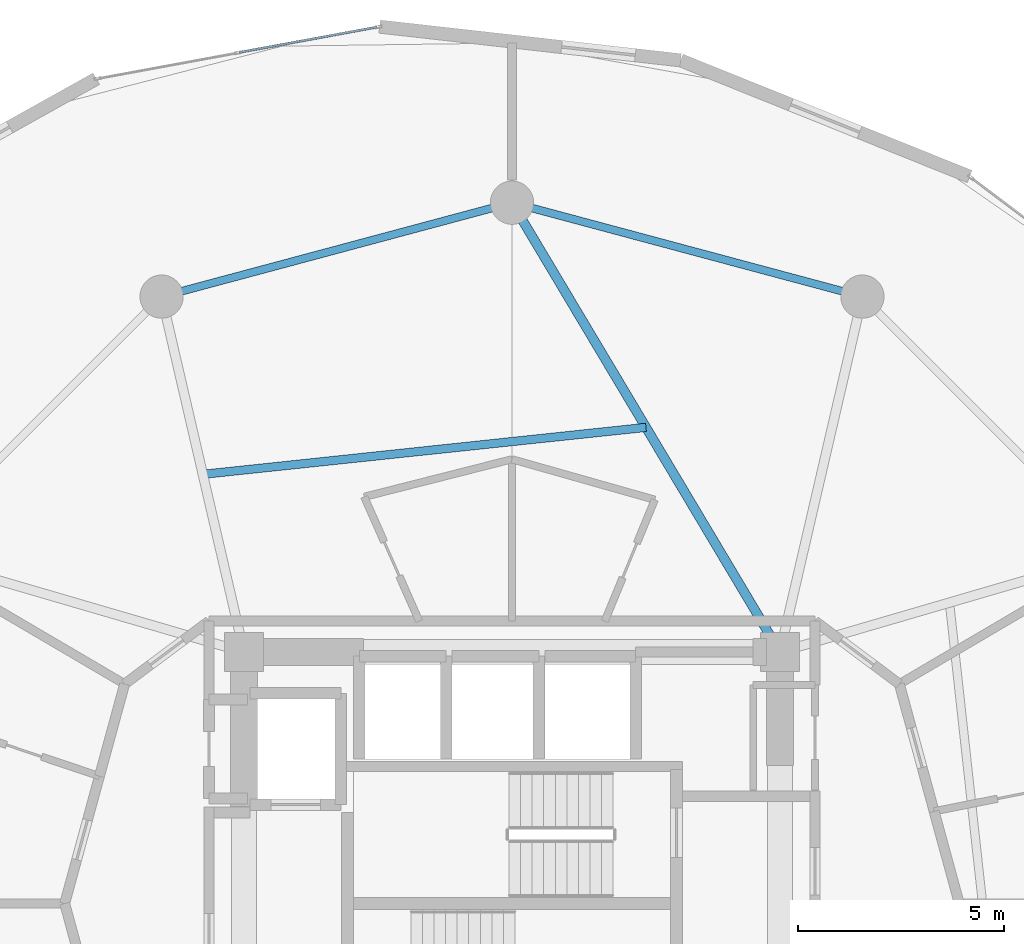
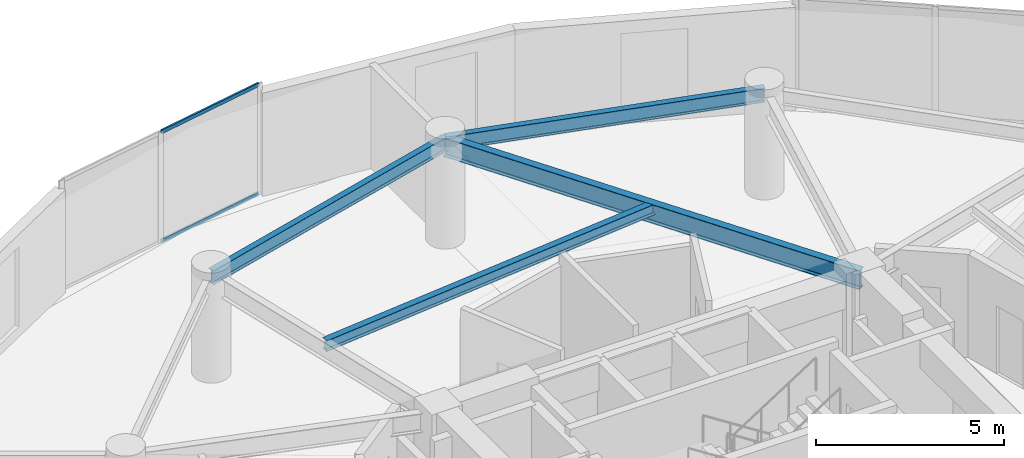
# One storey, part 17 of 25: 4 beams, 2 members, 1 element without a shape of its own.
"""IFC4 building model written with IfcOpenShell, lengths in metres."""

from ifc_helpers import new_model, si_unit, direction, frame, origin, origin_2d, place, context, subcontext, project, spatial, hollow_rectangle, i_section, extrude, source, transform, mapped, material, layer, layer_set, material_profile, profile_set, type_object, element, aggregate, save


model = new_model("IFC4")

# Units and contexts
model_context = context("Model", 3, precision=1e-05, world=origin(), true_north=direction((0.0, 1.0)))
body_context = subcontext(model_context, "Body", "Model", "MODEL_VIEW")
ifc_project = project(units=[si_unit("LENGTHUNIT", "METRE"), si_unit("AREAUNIT", "SQUARE_METRE"), si_unit("VOLUMEUNIT", "CUBIC_METRE"), si_unit("PLANEANGLEUNIT", "RADIAN"), si_unit("MASSUNIT", "GRAM", prefix="KILO")], contexts=[model_context])

# Site, building, storey
site_placement = place(None, origin())
site = spatial("IfcSite", under=ifc_project, at=site_placement, CompositionType="ELEMENT")
building_placement = place(site_placement, origin())
building = spatial("IfcBuilding", under=site, at=building_placement, Name="Solvirekh Grand Hotel", CompositionType="ELEMENT")
storey_placement = place(building_placement, frame((0.0, 0.0, 106.199951171875)))
storey = spatial("IfcBuildingStorey", under=building, at=storey_placement, Name="L26", CompositionType="ELEMENT", Elevation=106.199951171875)

# Beams
ifc_material_1 = material(Name="Steel S355", Category="steel")
ifc_material_profile_1 = material_profile(ifc_material_1, i_section(OverallWidth=0.22802734375, OverallDepth=0.616943359375, WebThickness=0.012939453125, FlangeThickness=0.02001953125, FilletRadius=0.014892578125, at=origin_2d()), Name="W610X140")
ifc_profile_set_1 = profile_set([ifc_material_profile_1], Name="Steel S355")
beam_type_1 = type_object("IfcBeamType", Name="Beam_Radial_W610", PredefinedType="BEAM", material=ifc_profile_set_1)
beam_1_placement = place(storey_placement, frame((6.5, 6.10009765625, 3.0419921875), z_axis=(-0.512179721377, 0.858878299301, 0.0), x_axis=(-0.858878299301, -0.512179721377, 0.0)))
element("IfcBeam", 1, at=beam_1_placement, inside=storey, type_object=beam_type_1, Name="L26 radial floor beam R04", PredefinedType="BEAM", context=body_context, shape_type="SweptSolid", body=[
    extrude(i_section(OverallWidth=0.22802734375, OverallDepth=0.616943359375, WebThickness=0.012939453125, FlangeThickness=0.02001953125, FilletRadius=0.014892578125, at=origin_2d()), origin(), (0.0, 0.0, 1.0), 12.69091796875),
])
ifc_material_profile_2 = material_profile(ifc_material_1, i_section(OverallWidth=0.2041015625, OverallDepth=0.35009765625, WebThickness=0.009033203125, FlangeThickness=0.014892578125, FilletRadius=0.010986328125, at=origin_2d()), Name="W360X72")
ifc_profile_set_2 = profile_set([ifc_material_profile_2], Name="Steel S355")
beam_type_2 = type_object("IfcBeamType", Name="Joist_Floor_W360", PredefinedType="JOIST", material=ifc_profile_set_2)
beam_2_placement = place(storey_placement, frame((3.25, 11.550048828125, 3.175048828125), z_axis=(-0.994432198761, -0.105378375714, 0.0), x_axis=(0.105378375714, -0.994432198761, 0.0)))
element("IfcBeam", 2, at=beam_2_placement, inside=storey, type_object=beam_type_2, Name="L26 secondary composite floor joist 4", PredefinedType="JOIST", context=body_context, shape_type="SweptSolid", body=[
    extrude(i_section(OverallWidth=0.2041015625, OverallDepth=0.35009765625, WebThickness=0.009033203125, FlangeThickness=0.014892578125, FilletRadius=0.010986328125, at=origin_2d()), origin(), (0.0, 0.0, 1.0), 10.810302734375),
])
ifc_material_profile_3 = material_profile(ifc_material_1, i_section(OverallWidth=0.18994140625, OverallDepth=0.45703125, WebThickness=0.009033203125, FlangeThickness=0.013916015625, FilletRadius=0.012939453125, at=origin_2d()), Name="W460X74")
ifc_profile_set_3 = profile_set([ifc_material_profile_3], Name="Steel S355")
beam_type_3 = type_object("IfcBeamType", Name="Spandrel_Ring_W460", PredefinedType="SPANDREL", material=ifc_profile_set_3)
for number, where, z_axis, x_axis, name in (
    (3, (8.5, 14.721923828125, 3.1220703125), (-0.965911391906, 0.258872908946, 0.0), (-0.258872908946, -0.965911391906, 0.0), "L26 perimeter spandrel beam 3"),
    (4, (0.0, 17.0, 3.1220703125), (-0.965911391906, -0.258872908946, 0.0), (0.258872908946, -0.965911391906, 0.0), "L26 perimeter spandrel beam 4"),
):
    element("IfcBeam", number, at=place(storey_placement, frame(where, z_axis=z_axis, x_axis=x_axis)), inside=storey, type_object=beam_type_3, Name=name, PredefinedType="SPANDREL", context=body_context, shape_type="SweptSolid", body=[
        extrude(i_section(OverallWidth=0.18994140625, OverallDepth=0.45703125, WebThickness=0.009033203125, FlangeThickness=0.013916015625, FilletRadius=0.012939453125, at=origin_2d()), origin(), (0.0, 0.0, 1.0), 8.800048828125),
    ])

# Curtain wall, members
ifc_material_2 = material(Name="Anodized Bronze Aluminium 6063-T6", Category="aluminium")
ifc_layer = layer(ifc_material_2, 0.175048828125)
ifc_layer_set = layer_set([ifc_layer], Name="Anodized Bronze Aluminium 6063-T6")
curtain_wall_type = type_object("IfcCurtainWallType", Name="CW_Sys3_MidZoneFlushBronzeCW", PredefinedType="NOTDEFINED", material=ifc_layer_set)
curtain_wall_placement = place(storey_placement, origin())
curtain_wall = element("IfcCurtainWall", 5, at=curtain_wall_placement, inside=storey, type_object=curtain_wall_type, Name="L26 unitised bronze-glass curtain wall CW-L26-C08", PredefinedType="NOTDEFINED")
ifc_material_profile_4 = material_profile(ifc_material_2, hollow_rectangle(XDim=0.054931640625, YDim=0.1201171875, WallThickness=0.00390625, at=origin_2d()), Name="ALU RHS 120X55X4")
ifc_profile_set_4 = profile_set([ifc_material_profile_4], Name="Anodized Bronze Aluminium 6063-T6")
member_type = type_object("IfcMemberType", Name="CWTransom_Sys3", PredefinedType="USERDEFINED", material=ifc_profile_set_4)
shared_shape = source(origin(), body_context, "Body", "SweptSolid", [
    extrude(hollow_rectangle(XDim=0.054931640625, YDim=0.1201171875, WallThickness=0.00390625, at=origin_2d()), origin(), (0.0, 0.0, 1.0), 3.397216796875),
])
member_1_placement = place(storey_placement, frame((-3.27490234375, 21.26123046875, 0.027587890625), z_axis=(-0.983490568923, -0.180959390029, 0.0), x_axis=(0.180959390029, -0.983490568923, 0.0)))
member_1 = element("IfcMember", 6, at=member_1_placement, type_object=member_type, Name="U03 transom 1.1", ObjectType="TRANSOM", PredefinedType="USERDEFINED", context=body_context, shape_type="MappedRepresentation", body=[
    mapped(shared_shape, transform((0.0, 0.0, 0.0), x_axis=(1.0, 0.0, 0.0), y_axis=(0.0, 1.0, 0.0), z_axis=(0.0, 0.0, 1.0), scale=1.0)),
])
member_2_placement = place(storey_placement, frame((-3.27490234375, 21.26123046875, 3.572509765625), z_axis=(-0.983490568923, -0.180959390029, 0.0), x_axis=(0.180959390029, -0.983490568923, 0.0)))
member_2 = element("IfcMember", 7, at=member_2_placement, type_object=member_type, Name="U03 transom 1.2", ObjectType="TRANSOM", PredefinedType="USERDEFINED", context=body_context, shape_type="MappedRepresentation", body=[
    mapped(shared_shape, transform((0.0, 0.0, 0.0), x_axis=(1.0, 0.0, 0.0), y_axis=(0.0, 1.0, 0.0), z_axis=(0.0, 0.0, 1.0), scale=1.0)),
])
aggregate(curtain_wall, [member_1, member_2])

save(model, "model.ifc")
